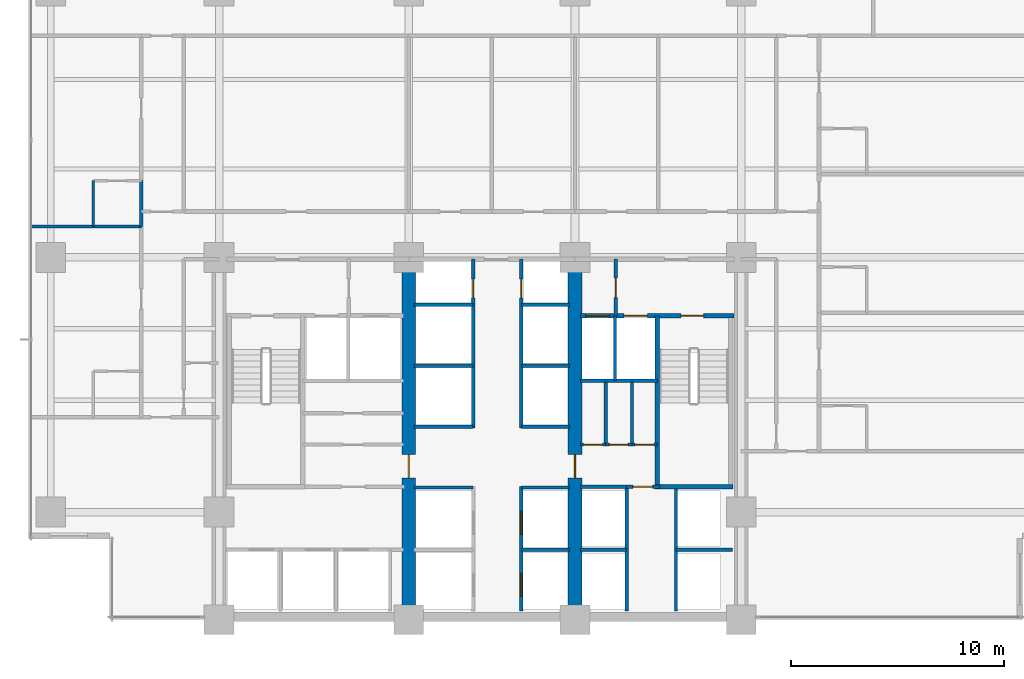
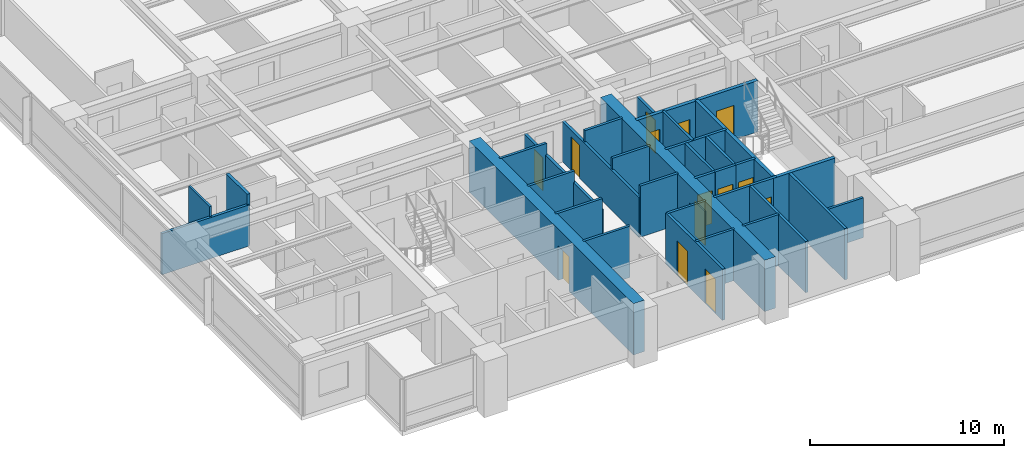
# One storey, part 8 of 16: 34 walls, 14 doors, 14 openings.
"""IFC4 building model written with IfcOpenShell, lengths in metres."""

from ifc_helpers import new_model, si_unit, direction, frame, frame_2d, origin, place, context, subcontext, project, spatial, rectangle, extrude, material, layer, layer_set, type_object, element, fill, save


model = new_model("IFC4")

# Units and contexts
model_context = context("Model", 3, precision=1e-05, world=origin(), true_north=direction((0.0, 1.0)))
body_context = subcontext(model_context, "Body", "Model", "MODEL_VIEW")
ifc_project = project(units=[si_unit("LENGTHUNIT", "METRE"), si_unit("AREAUNIT", "SQUARE_METRE"), si_unit("VOLUMEUNIT", "CUBIC_METRE"), si_unit("PLANEANGLEUNIT", "RADIAN"), si_unit("MASSUNIT", "GRAM", prefix="KILO")], contexts=[model_context])

# Site, building, storey
site_placement = place(None, origin())
site = spatial("IfcSite", under=ifc_project, at=site_placement, CompositionType="ELEMENT")
building_placement = place(site_placement, origin())
building = spatial("IfcBuilding", under=site, at=building_placement, Name="Qalmaran Belvedere Hotel", CompositionType="ELEMENT")
storey_placement = place(building_placement, frame((0.0, 0.0, 50.89990234375)))
storey = spatial("IfcBuildingStorey", under=building, at=storey_placement, Name="L12", CompositionType="ELEMENT", Elevation=50.89990234375)

# Wall, opening, door
ifc_material_1 = material(Name="Concrete C60/75", Category="concrete")
ifc_layer_1 = layer(ifc_material_1, 0.64990234375, Name="Concrete C60/75")
ifc_layer_set_1 = layer_set([ifc_layer_1], Name="Concrete C60/75")
wall_type_1 = type_object("IfcWallType", Name="WL-CORE-650-C60", PredefinedType="SHEAR", material=ifc_layer_set_1)
wall_1_placement = place(storey_placement, frame((29.199951171875, 3.5, 0.0), z_axis=(0.0, 0.0, 1.0), x_axis=(0.0, 1.0, 0.0)))
wall_1 = element("IfcWall", 1, at=wall_1_placement, inside=storey, type_object=wall_type_1, Name="L12 Core West Spine Shear Wall", PredefinedType="SHEAR", context=body_context, shape_type="SweptSolid", body=[
    extrude(rectangle(XDim=16.89990234375, YDim=0.64990234375, at=frame_2d((8.449951171875, 0.0))), origin(), (0.0, 0.0, 1.0), 3.22021484375),
])
opening_1_placement = place(wall_1_placement, frame((7.75, 0.0, 0.0), z_axis=(0.0, 0.0, 1.0), x_axis=(-1.0, 0.0, 0.0)))
opening_1 = element("IfcOpeningElement", 2, at=opening_1_placement, cuts=wall_1, Name="Opening FD90", PredefinedType="OPENING", context=body_context, shape_type="SweptSolid", body=[
    extrude(rectangle(XDim=1.10009765625, YDim=2.14990234375, at=frame_2d((0.550048828125, 1.074951171875))), frame((0.0, 0.3349609375, 0.0), z_axis=(0.0, -1.0, 0.0), x_axis=(1.0, 0.0, 0.0)), (0.0, 0.0, 1.0), 0.669921875),
])
ifc_material_2 = material(Name="Steel S355JR", Category="steel")
door_type_1 = type_object("IfcDoorType", Name="DR-FD90-1100X2150", OperationType="NOTDEFINED", PredefinedType="DOOR", material=ifc_material_2)
door_1_placement = place(opening_1_placement, origin())
door_1 = element("IfcDoor", 3, at=door_1_placement, inside=storey, type_object=door_type_1, Name="L12 Core West Cross-Lobby Door", OperationType="SINGLE_SWING_RIGHT", OverallHeight=2.14990234375, OverallWidth=1.10009765625, PredefinedType="DOOR", context=body_context, shape_type="SweptSolid", body=[
    extrude(rectangle(XDim=1.10009765625, YDim=2.14990234375, at=frame_2d((0.550048828125, 1.074951171875))), frame((0.0, 0.02490234375, 0.0), z_axis=(0.0, -1.0, 0.0), x_axis=(1.0, 0.0, 0.0)), (0.0, 0.0, 1.0), 0.050048828125),
])
fill(opening_1, door_1)

wall_2_placement = place(storey_placement, frame((37.0, 3.5, 0.0), z_axis=(0.0, 0.0, 1.0), x_axis=(0.0, 1.0, 0.0)))
wall_2 = element("IfcWall", 4, at=wall_2_placement, inside=storey, type_object=wall_type_1, Name="L12 Core East Spine Shear Wall", PredefinedType="SHEAR", context=body_context, shape_type="SweptSolid", body=[
    extrude(rectangle(XDim=16.89990234375, YDim=0.64990234375, at=frame_2d((8.449951171875, 0.0))), origin(), (0.0, 0.0, 1.0), 3.22021484375),
])
opening_2_placement = place(wall_2_placement, frame((6.64990234375, 0.0, 0.0)))
opening_2 = element("IfcOpeningElement", 5, at=opening_2_placement, cuts=wall_2, Name="Opening FD90", PredefinedType="OPENING", context=body_context, shape_type="SweptSolid", body=[
    extrude(rectangle(XDim=1.10009765625, YDim=2.14990234375, at=frame_2d((0.550048828125, 1.074951171875))), frame((0.0, 0.3349609375, 0.0), z_axis=(0.0, -1.0, 0.0), x_axis=(1.0, 0.0, 0.0)), (0.0, 0.0, 1.0), 0.669921875),
])
door_2_placement = place(opening_2_placement, origin())
door_2 = element("IfcDoor", 6, at=door_2_placement, inside=storey, type_object=door_type_1, Name="L12 Core East Cross-Lobby Door", OperationType="SINGLE_SWING_LEFT", OverallHeight=2.14990234375, OverallWidth=1.10009765625, PredefinedType="DOOR", context=body_context, shape_type="SweptSolid", body=[
    extrude(rectangle(XDim=1.10009765625, YDim=2.14990234375, at=frame_2d((0.550048828125, 1.074951171875))), frame((0.0, 0.02490234375, 0.0), z_axis=(0.0, -1.0, 0.0), x_axis=(1.0, 0.0, 0.0)), (0.0, 0.0, 1.0), 0.050048828125),
])
fill(opening_2, door_2)

# Walls
ifc_material_3 = material(Name="Moisture-Resistant Gypsum")
ifc_layer_2 = layer(ifc_material_3, 0.1201171875, Name="Moisture-Resistant Gypsum")
ifc_layer_set_2 = layer_set([ifc_layer_2], Name="Moisture-Resistant Gypsum")
wall_type_2 = type_object("IfcWallType", Name="WL-INT-120-BATH", PredefinedType="PARTITIONING", material=ifc_layer_set_2)
wall_3_placement = place(storey_placement, frame((14.39990234375, 21.949951171875, 0.0), z_axis=(0.0, 0.0, 1.0), x_axis=(0.0, 1.0, 0.0)))
element("IfcWall", 7, at=wall_3_placement, inside=storey, type_object=wall_type_2, Name="L12 Partition WL-L12-WBS01", PredefinedType="PARTITIONING", context=body_context, shape_type="SweptSolid", body=[
    extrude(rectangle(XDim=2.150146484375, YDim=0.1201171875, at=frame_2d((1.0751953125, 0.0))), origin(), (0.0, 0.0, 1.0), 3.22021484375),
])
ifc_material_4 = material(Name="Gypsum Stud Partition")
ifc_layer_3 = layer(ifc_material_4, 0.14990234375, Name="Gypsum Stud Partition")
ifc_layer_set_3 = layer_set([ifc_layer_3], Name="Gypsum Stud Partition")
wall_type_3 = type_object("IfcWallType", Name="WL-INT-150-EI120", PredefinedType="PARTITIONING", material=ifc_layer_set_3)
wall_4_placement = place(storey_placement, frame((38.8798828125, 14.719970703125, 0.0), z_axis=(0.0, 0.0, 1.0), x_axis=(0.0, 1.0, 0.0)))
element("IfcWall", 8, at=wall_4_placement, inside=storey, type_object=wall_type_3, Name="L12 Partition WL-FF2M-L12", PredefinedType="PARTITIONING", context=body_context, shape_type="SweptSolid", body=[
    extrude(rectangle(XDim=3.0400390625, YDim=0.14990234375, at=frame_2d((1.52001953125, 0.0))), origin(), (0.0, 0.0, 1.0), 3.22021484375),
])
wall_5_placement = place(storey_placement, frame((37.25, 6.780029296875, 0.0), z_axis=(0.0, 0.0, 1.0), x_axis=(1.0, 0.0, 0.0)))
element("IfcWall", 9, at=wall_5_placement, inside=storey, type_object=wall_type_3, Name="L12 Partition WL-PHMW-L12", PredefinedType="PARTITIONING", context=body_context, shape_type="SweptSolid", body=[
    extrude(rectangle(XDim=2.169921875, YDim=0.14990234375, at=frame_2d((1.0849609375, 0.0))), origin(), (0.0, 0.0, 1.0), 3.22021484375),
])
wall_6_placement = place(storey_placement, frame((41.739990234375, 6.780029296875, 0.0), z_axis=(0.0, 0.0, 1.0), x_axis=(1.0, 0.0, 0.0)))
element("IfcWall", 10, at=wall_6_placement, inside=storey, type_object=wall_type_3, Name="L12 Partition WL-PHME-L12", PredefinedType="PARTITIONING", context=body_context, shape_type="SweptSolid", body=[
    extrude(rectangle(XDim=2.659912109375, YDim=0.14990234375, at=frame_2d((1.330078125, 0.0))), origin(), (0.0, 0.0, 1.0), 2.510009765625),
])
wall_7_placement = place(storey_placement, frame((34.47998046875, 6.780029296875, 0.0), z_axis=(0.0, 0.0, 1.0), x_axis=(1.0, 0.0, 0.0)))
element("IfcWall", 11, at=wall_7_placement, inside=storey, type_object=wall_type_3, Name="L12 Partition WL-PLE-L12-67", PredefinedType="PARTITIONING", context=body_context, shape_type="SweptSolid", body=[
    extrude(rectangle(XDim=2.27001953125, YDim=0.14990234375, at=frame_2d((1.135009765625, 0.0))), origin(), (0.0, 0.0, 1.0), 3.22021484375),
])
wall_8_placement = place(storey_placement, frame((29.449951171875, 9.699951171875, 0.0), z_axis=(0.0, 0.0, 1.0), x_axis=(1.0, 0.0, 0.0)))
element("IfcWall", 12, at=wall_8_placement, inside=storey, type_object=wall_type_3, Name="L12 Partition WL-PLW-L12-97", PredefinedType="PARTITIONING", context=body_context, shape_type="SweptSolid", body=[
    extrude(rectangle(XDim=2.77001953125, YDim=0.14990234375, at=frame_2d((1.385009765625, 0.0))), origin(), (0.0, 0.0, 1.0), 3.22021484375),
])
wall_9_placement = place(storey_placement, frame((34.47998046875, 9.699951171875, 0.0), z_axis=(0.0, 0.0, 1.0), x_axis=(1.0, 0.0, 0.0)))
element("IfcWall", 13, at=wall_9_placement, inside=storey, type_object=wall_type_3, Name="L12 Partition WL-PLE-L12-97", PredefinedType="PARTITIONING", context=body_context, shape_type="SweptSolid", body=[
    extrude(rectangle(XDim=2.27001953125, YDim=0.14990234375, at=frame_2d((1.135009765625, 0.0))), origin(), (0.0, 0.0, 1.0), 3.22021484375),
])
wall_10_placement = place(storey_placement, frame((29.449951171875, 12.550048828125, 0.0), z_axis=(0.0, 0.0, 1.0), x_axis=(1.0, 0.0, 0.0)))
element("IfcWall", 14, at=wall_10_placement, inside=storey, type_object=wall_type_3, Name="L12 Partition WL-PMW-L12-125", PredefinedType="PARTITIONING", context=body_context, shape_type="SweptSolid", body=[
    extrude(rectangle(XDim=2.77001953125, YDim=0.14990234375, at=frame_2d((1.385009765625, 0.0))), origin(), (0.0, 0.0, 1.0), 3.22021484375),
])
wall_11_placement = place(storey_placement, frame((34.47998046875, 12.550048828125, 0.0), z_axis=(0.0, 0.0, 1.0), x_axis=(1.0, 0.0, 0.0)))
element("IfcWall", 15, at=wall_11_placement, inside=storey, type_object=wall_type_3, Name="L12 Partition WL-PME-L12-125", PredefinedType="PARTITIONING", context=body_context, shape_type="SweptSolid", body=[
    extrude(rectangle(XDim=2.27001953125, YDim=0.14990234375, at=frame_2d((1.135009765625, 0.0))), origin(), (0.0, 0.0, 1.0), 3.22021484375),
])
wall_12_placement = place(storey_placement, frame((29.449951171875, 15.419921875, 0.0), z_axis=(0.0, 0.0, 1.0), x_axis=(1.0, 0.0, 0.0)))
element("IfcWall", 16, at=wall_12_placement, inside=storey, type_object=wall_type_3, Name="L12 Partition WL-PMW-L12-154", PredefinedType="PARTITIONING", context=body_context, shape_type="SweptSolid", body=[
    extrude(rectangle(XDim=2.77001953125, YDim=0.14990234375, at=frame_2d((1.385009765625, 0.0))), origin(), (0.0, 0.0, 1.0), 3.22021484375),
])
wall_13_placement = place(storey_placement, frame((34.47998046875, 15.419921875, 0.0), z_axis=(0.0, 0.0, 1.0), x_axis=(1.0, 0.0, 0.0)))
element("IfcWall", 17, at=wall_13_placement, inside=storey, type_object=wall_type_3, Name="L12 Partition WL-PME-L12-154", PredefinedType="PARTITIONING", context=body_context, shape_type="SweptSolid", body=[
    extrude(rectangle(XDim=2.27001953125, YDim=0.14990234375, at=frame_2d((1.135009765625, 0.0))), origin(), (0.0, 0.0, 1.0), 3.22021484375),
])
wall_14_placement = place(storey_placement, frame((29.449951171875, 18.280029296875, 0.0), z_axis=(0.0, 0.0, 1.0), x_axis=(1.0, 0.0, 0.0)))
element("IfcWall", 18, at=wall_14_placement, inside=storey, type_object=wall_type_3, Name="L12 Partition WL-PMW-L12-182", PredefinedType="PARTITIONING", context=body_context, shape_type="SweptSolid", body=[
    extrude(rectangle(XDim=2.77001953125, YDim=0.14990234375, at=frame_2d((1.385009765625, 0.0))), origin(), (0.0, 0.0, 1.0), 3.22021484375),
])
wall_15_placement = place(storey_placement, frame((34.47998046875, 18.280029296875, 0.0), z_axis=(0.0, 0.0, 1.0), x_axis=(1.0, 0.0, 0.0)))
element("IfcWall", 19, at=wall_15_placement, inside=storey, type_object=wall_type_3, Name="L12 Partition WL-PME-L12-182", PredefinedType="PARTITIONING", context=body_context, shape_type="SweptSolid", body=[
    extrude(rectangle(XDim=2.27001953125, YDim=0.14990234375, at=frame_2d((1.135009765625, 0.0))), origin(), (0.0, 0.0, 1.0), 3.22021484375),
])
ifc_layer_4 = layer(ifc_material_4, 0.14990234375, Name="Gypsum Stud Partition")
ifc_layer_set_4 = layer_set([ifc_layer_4], Name="Gypsum Stud Partition")
wall_type_4 = type_object("IfcWallType", Name="WL-INT-150-EI60", PredefinedType="PARTITIONING", material=ifc_layer_set_4)
for number, where, z_axis, x_axis, name in (
    (20, (38.44140625, 11.719970703125, 0.0), (0.0, 0.0, 1.0), (0.0, 1.0, 0.0), "L12 Partition WL-L12-KEV1"),
    (21, (39.668701171875, 11.719970703125, 0.0), (0.0, 0.0, 1.0), (0.0, 1.0, 0.0), "L12 Partition WL-L12-KEV2"),
):
    element("IfcWall", number, at=place(storey_placement, frame(where, z_axis=z_axis, x_axis=x_axis)), inside=storey, type_object=wall_type_4, Name=name, PredefinedType="PARTITIONING", context=body_context, shape_type="SweptSolid", body=[
        extrude(rectangle(XDim=2.929931640625, YDim=0.14990234375, at=frame_2d((1.46484375, 0.0))), origin(), (0.0, 0.0, 1.0), 3.22021484375),
    ])

# Wall, opening, door
ifc_layer_5 = layer(ifc_material_4, 0.159912109375, Name="Gypsum Stud Partition")
ifc_layer_set_5 = layer_set([ifc_layer_5], Name="Gypsum Stud Partition")
wall_type_5 = type_object("IfcWallType", Name="WL-INT-160-EI120", PredefinedType="PARTITIONING", material=ifc_layer_set_5)
wall_16_placement = place(storey_placement, frame((38.919921875, 17.760009765625, 0.0), z_axis=(0.0, 0.0, 1.0), x_axis=(0.0, 1.0, 0.0)))
wall_16 = element("IfcWall", 22, at=wall_16_placement, inside=storey, type_object=wall_type_5, Name="L12 Partition WL-FFSV2-L12", PredefinedType="PARTITIONING", context=body_context, shape_type="SweptSolid", body=[
    extrude(rectangle(XDim=2.659912109375, YDim=0.159912109375, at=frame_2d((1.330078125, 0.0))), origin(), (0.0, 0.0, 1.0), 2.510009765625),
])
opening_3_placement = place(wall_16_placement, frame((1.77001953125, 0.0, 0.0), z_axis=(0.0, 0.0, 1.0), x_axis=(-1.0, 0.0, 0.0)))
opening_3 = element("IfcOpeningElement", 23, at=opening_3_placement, cuts=wall_16, Name="Opening FD60S1", PredefinedType="OPENING", context=body_context, shape_type="SweptSolid", body=[
    extrude(rectangle(XDim=0.919921875, YDim=2.080078125, at=frame_2d((0.4599609375, 1.0400390625))), frame((0.0, 0.08984375, 0.0), z_axis=(0.0, -1.0, 0.0), x_axis=(1.0, 0.0, 0.0)), (0.0, 0.0, 1.0), 0.179931640625),
])
ifc_material_5 = material(Name="Engineered Oak Veneer")
door_type_2 = type_object("IfcDoorType", Name="DR-FD60S-920X2080", OperationType="NOTDEFINED", PredefinedType="DOOR", material=ifc_material_5)
door_3_placement = place(opening_3_placement, origin())
door_3 = element("IfcDoor", 24, at=door_3_placement, inside=storey, type_object=door_type_2, Name="L12 Service Lobby East Door", OperationType="SINGLE_SWING_LEFT", OverallHeight=2.080078125, OverallWidth=0.919921875, PredefinedType="DOOR", context=body_context, shape_type="SweptSolid", body=[
    extrude(rectangle(XDim=0.919921875, YDim=2.080078125, at=frame_2d((0.4599609375, 1.0400390625))), frame((0.0, 0.02490234375, 0.0), z_axis=(0.0, -1.0, 0.0), x_axis=(1.0, 0.0, 0.0)), (0.0, 0.0, 1.0), 0.050048828125),
])
fill(opening_3, door_3)

# Walls
wall_17_placement = place(storey_placement, frame((37.25, 14.719970703125, 0.0), z_axis=(0.0, 0.0, 1.0), x_axis=(1.0, 0.0, 0.0)))
element("IfcWall", 25, at=wall_17_placement, inside=storey, type_object=wall_type_5, Name="L12 Partition WL-FF2S-L12", PredefinedType="PARTITIONING", context=body_context, shape_type="SweptSolid", body=[
    extrude(rectangle(XDim=3.610107421875, YDim=0.159912109375, at=frame_2d((1.80517578125, 0.0))), origin(), (0.0, 0.0, 1.0), 3.22021484375),
])
for number, where, z_axis, x_axis, name in (
    (26, (39.419921875, 3.89990234375, 0.0), (0.0, 0.0, 1.0), (0.0, 1.0, 0.0), "L12 Partition WL-PHW-L12"),
    (27, (41.739990234375, 3.89990234375, 0.0), (0.0, 0.0, 1.0), (0.0, 1.0, 0.0), "L12 Partition WL-PHE-L12"),
):
    element("IfcWall", number, at=place(storey_placement, frame(where, z_axis=z_axis, x_axis=x_axis)), inside=storey, type_object=wall_type_5, Name=name, PredefinedType="PARTITIONING", context=body_context, shape_type="SweptSolid", body=[
        extrude(rectangle(XDim=5.840087890625, YDim=0.159912109375, at=frame_2d((2.919921875, 0.0))), origin(), (0.0, 0.0, 1.0), 3.22021484375),
    ])
wall_18_placement = place(storey_placement, frame((37.25, 9.739990234375, 0.0), z_axis=(0.0, 0.0, 1.0), x_axis=(1.0, 0.0, 0.0)))
element("IfcWall", 28, at=wall_18_placement, inside=storey, type_object=wall_type_5, Name="L12 Partition WL-PHNW-L12", PredefinedType="PARTITIONING", context=body_context, shape_type="SweptSolid", body=[
    extrude(rectangle(XDim=2.169921875, YDim=0.159912109375, at=frame_2d((1.0849609375, 0.0))), origin(), (0.0, 0.0, 1.0), 3.22021484375),
])

# Wall, opening, door
wall_19_placement = place(storey_placement, frame((39.419921875, 9.739990234375, 0.0), z_axis=(0.0, 0.0, 1.0), x_axis=(1.0, 0.0, 0.0)))
wall_19 = element("IfcWall", 29, at=wall_19_placement, inside=storey, type_object=wall_type_5, Name="L12 Partition WL-PHNL-L12", PredefinedType="PARTITIONING", context=body_context, shape_type="SweptSolid", body=[
    extrude(rectangle(XDim=1.56005859375, YDim=0.159912109375, at=frame_2d((0.780029296875, 0.0))), origin(), (0.0, 0.0, 1.0), 3.22021484375),
])
opening_4_placement = place(wall_19_placement, frame((0.300048828125, 0.0, 0.0)))
opening_4 = element("IfcOpeningElement", 30, at=opening_4_placement, cuts=wall_19, Name="Opening FD60S1", PredefinedType="OPENING", context=body_context, shape_type="SweptSolid", body=[
    extrude(rectangle(XDim=0.919921875, YDim=2.080078125, at=frame_2d((0.4599609375, 1.0400390625))), frame((0.0, 0.08984375, 0.0), z_axis=(0.0, -1.0, 0.0), x_axis=(1.0, 0.0, 0.0)), (0.0, 0.0, 1.0), 0.179931640625),
])
door_4_placement = place(opening_4_placement, origin())
door_4 = element("IfcDoor", 31, at=door_4_placement, inside=storey, type_object=door_type_2, Name="L12 High-Rise Lift Lobby Passage Door", OperationType="SINGLE_SWING_LEFT", OverallHeight=2.080078125, OverallWidth=0.919921875, PredefinedType="DOOR", context=body_context, shape_type="SweptSolid", body=[
    extrude(rectangle(XDim=0.919921875, YDim=2.080078125, at=frame_2d((0.4599609375, 1.0400390625))), frame((0.0, 0.02490234375, 0.0), z_axis=(0.0, -1.0, 0.0), x_axis=(1.0, 0.0, 0.0)), (0.0, 0.0, 1.0), 0.050048828125),
])
fill(opening_4, door_4)

# Wall, openings, doors
wall_20_placement = place(storey_placement, frame((34.47998046875, 3.89990234375, 0.0), z_axis=(0.0, 0.0, 1.0), x_axis=(0.0, 1.0, 0.0)))
wall_20 = element("IfcWall", 32, at=wall_20_placement, inside=storey, type_object=wall_type_5, Name="L12 Partition WL-CLBES-L12", PredefinedType="PARTITIONING", context=body_context, shape_type="SweptSolid", body=[
    extrude(rectangle(XDim=5.840087890625, YDim=0.159912109375, at=frame_2d((2.919921875, 0.0))), origin(), (0.0, 0.0, 1.0), 3.22021484375),
])
opening_5_placement = place(wall_20_placement, frame((0.699951171875, 0.0, 0.0)))
opening_5 = element("IfcOpeningElement", 33, at=opening_5_placement, cuts=wall_20, Name="Opening LD-P1", PredefinedType="OPENING", context=body_context, shape_type="SweptSolid", body=[
    extrude(rectangle(XDim=1.080078125, YDim=2.159912109375, at=frame_2d((0.5400390625, 1.080078125))), frame((0.0, 0.08984375, 0.0), z_axis=(0.0, -1.0, 0.0), x_axis=(1.0, 0.0, 0.0)), (0.0, 0.0, 1.0), 0.179931640625),
])
opening_6_placement = place(wall_20_placement, frame((3.60009765625, 0.0, 0.0)))
opening_6 = element("IfcOpeningElement", 34, at=opening_6_placement, cuts=wall_20, Name="Opening LD-P1", PredefinedType="OPENING", context=body_context, shape_type="SweptSolid", body=[
    extrude(rectangle(XDim=1.080078125, YDim=2.159912109375, at=frame_2d((0.5400390625, 1.080078125))), frame((0.0, 0.08984375, 0.0), z_axis=(0.0, -1.0, 0.0), x_axis=(1.0, 0.0, 0.0)), (0.0, 0.0, 1.0), 0.179931640625),
])
ifc_material_6 = material(Name="Stainless Steel 1.4401", Category="steel")
door_type_3 = type_object("IfcDoorType", Name="DR-LIFT-P1-1080X2160", OperationType="DOUBLE_DOOR_SLIDING", PredefinedType="DOOR", material=ifc_material_6)
door_5_placement = place(opening_5_placement, origin())
door_5 = element("IfcDoor", 35, at=door_5_placement, inside=storey, type_object=door_type_3, Name="L12 PL3 Lift Landing Door", OperationType="DOUBLE_DOOR_SLIDING", OverallHeight=2.159912109375, OverallWidth=1.080078125, PredefinedType="DOOR", context=body_context, shape_type="SweptSolid", body=[
    extrude(rectangle(XDim=1.080078125, YDim=2.159912109375, at=frame_2d((0.5400390625, 1.080078125))), frame((0.0, 0.02490234375, 0.0), z_axis=(0.0, -1.0, 0.0), x_axis=(1.0, 0.0, 0.0)), (0.0, 0.0, 1.0), 0.050048828125),
])
fill(opening_5, door_5)
door_6_placement = place(opening_6_placement, origin())
door_6 = element("IfcDoor", 36, at=door_6_placement, inside=storey, type_object=door_type_3, Name="L12 PL4 Lift Landing Door", OperationType="DOUBLE_DOOR_SLIDING", OverallHeight=2.159912109375, OverallWidth=1.080078125, PredefinedType="DOOR", context=body_context, shape_type="SweptSolid", body=[
    extrude(rectangle(XDim=1.080078125, YDim=2.159912109375, at=frame_2d((0.5400390625, 1.080078125))), frame((0.0, 0.02490234375, 0.0), z_axis=(0.0, -1.0, 0.0), x_axis=(1.0, 0.0, 0.0)), (0.0, 0.0, 1.0), 0.050048828125),
])
fill(opening_6, door_6)

# Wall, opening, door
wall_21_placement = place(storey_placement, frame((32.219970703125, 12.5, 0.0), z_axis=(0.0, 0.0, 1.0), x_axis=(0.0, 1.0, 0.0)))
wall_21 = element("IfcWall", 37, at=wall_21_placement, inside=storey, type_object=wall_type_5, Name="L12 Partition WL-CLBWN-L12", PredefinedType="PARTITIONING", context=body_context, shape_type="SweptSolid", body=[
    extrude(rectangle(XDim=7.919921875, YDim=0.159912109375, at=frame_2d((3.9599609375, 0.0))), origin(), (0.0, 0.0, 1.0), 2.510009765625),
])
opening_7_placement = place(wall_21_placement, frame((6.10009765625, 0.0, 0.0)))
opening_7 = element("IfcOpeningElement", 38, at=opening_7_placement, cuts=wall_21, Name="Opening FD60B", PredefinedType="OPENING", context=body_context, shape_type="SweptSolid", body=[
    extrude(rectangle(XDim=0.8798828125, YDim=2.080078125, at=frame_2d((0.43994140625, 1.0400390625))), frame((0.0, 0.08984375, 0.0), z_axis=(0.0, -1.0, 0.0), x_axis=(1.0, 0.0, 0.0)), (0.0, 0.0, 1.0), 0.179931640625),
])
door_type_4 = type_object("IfcDoorType", Name="DR-FD60B-880X2080", OperationType="NOTDEFINED", PredefinedType="DOOR", material=ifc_material_2)
door_7_placement = place(opening_7_placement, origin())
door_7 = element("IfcDoor", 39, at=door_7_placement, inside=storey, type_object=door_type_4, Name="L12 West Riser Access Door", OperationType="SINGLE_SWING_RIGHT", OverallHeight=2.080078125, OverallWidth=0.8798828125, PredefinedType="DOOR", context=body_context, shape_type="SweptSolid", body=[
    extrude(rectangle(XDim=0.8798828125, YDim=2.080078125, at=frame_2d((0.43994140625, 1.0400390625))), frame((0.0, 0.02490234375, 0.0), z_axis=(0.0, -1.0, 0.0), x_axis=(1.0, 0.0, 0.0)), (0.0, 0.0, 1.0), 0.050048828125),
])
fill(opening_7, door_7)

wall_22_placement = place(storey_placement, frame((34.47998046875, 12.5, 0.0), z_axis=(0.0, 0.0, 1.0), x_axis=(0.0, 1.0, 0.0)))
wall_22 = element("IfcWall", 40, at=wall_22_placement, inside=storey, type_object=wall_type_5, Name="L12 Partition WL-CLBEN-L12", PredefinedType="PARTITIONING", context=body_context, shape_type="SweptSolid", body=[
    extrude(rectangle(XDim=7.919921875, YDim=0.159912109375, at=frame_2d((3.9599609375, 0.0))), origin(), (0.0, 0.0, 1.0), 2.510009765625),
])
opening_8_placement = place(wall_22_placement, frame((6.97998046875, 0.0, 0.0), z_axis=(0.0, 0.0, 1.0), x_axis=(-1.0, 0.0, 0.0)))
opening_8 = element("IfcOpeningElement", 41, at=opening_8_placement, cuts=wall_22, Name="Opening FD60B", PredefinedType="OPENING", context=body_context, shape_type="SweptSolid", body=[
    extrude(rectangle(XDim=0.8798828125, YDim=2.080078125, at=frame_2d((0.43994140625, 1.0400390625))), frame((0.0, 0.08984375, 0.0), z_axis=(0.0, -1.0, 0.0), x_axis=(1.0, 0.0, 0.0)), (0.0, 0.0, 1.0), 0.179931640625),
])
door_8_placement = place(opening_8_placement, origin())
door_8 = element("IfcDoor", 42, at=door_8_placement, inside=storey, type_object=door_type_4, Name="L12 East Riser Access Door", OperationType="SINGLE_SWING_LEFT", OverallHeight=2.080078125, OverallWidth=0.8798828125, PredefinedType="DOOR", context=body_context, shape_type="SweptSolid", body=[
    extrude(rectangle(XDim=0.8798828125, YDim=2.080078125, at=frame_2d((0.43994140625, 1.0400390625))), frame((0.0, 0.02490234375, 0.0), z_axis=(0.0, -1.0, 0.0), x_axis=(1.0, 0.0, 0.0)), (0.0, 0.0, 1.0), 0.050048828125),
])
fill(opening_8, door_8)

ifc_layer_6 = layer(ifc_material_4, 0.159912109375, Name="Gypsum Stud Partition")
ifc_layer_set_6 = layer_set([ifc_layer_6], Name="Gypsum Stud Partition")
wall_type_6 = type_object("IfcWallType", Name="WL-INT-160-EI60", PredefinedType="PARTITIONING", material=ifc_layer_set_6)
wall_23_placement = place(storey_placement, frame((37.25, 11.719970703125, 0.0), z_axis=(0.0, 0.0, 1.0), x_axis=(1.0, 0.0, 0.0)))
wall_23 = element("IfcWall", 43, at=wall_23_placement, inside=storey, type_object=wall_type_6, Name="L12 Partition WL-L12-KEE1", PredefinedType="PARTITIONING", context=body_context, shape_type="SweptSolid", body=[
    extrude(rectangle(XDim=1.19140625, YDim=0.159912109375, at=frame_2d((0.595703125, 0.0))), origin(), (0.0, 0.0, 1.0), 3.22021484375),
])
opening_9_placement = place(wall_23_placement, frame((0.155517578125, 0.0, 0.0)))
opening_9 = element("IfcOpeningElement", 44, at=opening_9_placement, cuts=wall_23, Name="Opening FD60B", PredefinedType="OPENING", context=body_context, shape_type="SweptSolid", body=[
    extrude(rectangle(XDim=0.8798828125, YDim=2.080078125, at=frame_2d((0.43994140625, 1.0400390625))), frame((0.0, 0.08984375, 0.0), z_axis=(0.0, -1.0, 0.0), x_axis=(1.0, 0.0, 0.0)), (0.0, 0.0, 1.0), 0.179931640625),
])
door_9_placement = place(opening_9_placement, origin())
door_9 = element("IfcDoor", 45, at=door_9_placement, inside=storey, type_object=door_type_4, Name="L12 Hotel Linen Closet Door", OperationType="SINGLE_SWING_LEFT", OverallHeight=2.080078125, OverallWidth=0.8798828125, PredefinedType="DOOR", context=body_context, shape_type="SweptSolid", body=[
    extrude(rectangle(XDim=0.8798828125, YDim=2.080078125, at=frame_2d((0.43994140625, 1.0400390625))), frame((0.0, 0.02490234375, 0.0), z_axis=(0.0, -1.0, 0.0), x_axis=(1.0, 0.0, 0.0)), (0.0, 0.0, 1.0), 0.050048828125),
])
fill(opening_9, door_9)

wall_24_placement = place(storey_placement, frame((38.44140625, 11.719970703125, 0.0), z_axis=(0.0, 0.0, 1.0), x_axis=(1.0, 0.0, 0.0)))
wall_24 = element("IfcWall", 46, at=wall_24_placement, inside=storey, type_object=wall_type_6, Name="L12 Partition WL-L12-KEE2", PredefinedType="PARTITIONING", context=body_context, shape_type="SweptSolid", body=[
    extrude(rectangle(XDim=1.227294921875, YDim=0.159912109375, at=frame_2d((0.61376953125, 0.0))), origin(), (0.0, 0.0, 1.0), 3.22021484375),
])
opening_10_placement = place(wall_24_placement, frame((0.173583984375, 0.0, 0.0)))
opening_10 = element("IfcOpeningElement", 47, at=opening_10_placement, cuts=wall_24, Name="Opening FD60B", PredefinedType="OPENING", context=body_context, shape_type="SweptSolid", body=[
    extrude(rectangle(XDim=0.8798828125, YDim=2.080078125, at=frame_2d((0.43994140625, 1.0400390625))), frame((0.0, 0.08984375, 0.0), z_axis=(0.0, -1.0, 0.0), x_axis=(1.0, 0.0, 0.0)), (0.0, 0.0, 1.0), 0.179931640625),
])
door_10_placement = place(opening_10_placement, origin())
door_10 = element("IfcDoor", 48, at=door_10_placement, inside=storey, type_object=door_type_4, Name="L12 Guest Ice and Beverage Pantry Door", OperationType="SINGLE_SWING_RIGHT", OverallHeight=2.080078125, OverallWidth=0.8798828125, PredefinedType="DOOR", context=body_context, shape_type="SweptSolid", body=[
    extrude(rectangle(XDim=0.8798828125, YDim=2.080078125, at=frame_2d((0.43994140625, 1.0400390625))), frame((0.0, 0.02490234375, 0.0), z_axis=(0.0, -1.0, 0.0), x_axis=(1.0, 0.0, 0.0)), (0.0, 0.0, 1.0), 0.050048828125),
])
fill(opening_10, door_10)

wall_25_placement = place(storey_placement, frame((39.668701171875, 11.719970703125, 0.0), z_axis=(0.0, 0.0, 1.0), x_axis=(1.0, 0.0, 0.0)))
wall_25 = element("IfcWall", 49, at=wall_25_placement, inside=storey, type_object=wall_type_6, Name="L12 Partition WL-L12-KEE3", PredefinedType="PARTITIONING", context=body_context, shape_type="SweptSolid", body=[
    extrude(rectangle(XDim=1.19140625, YDim=0.159912109375, at=frame_2d((0.595703125, 0.0))), origin(), (0.0, 0.0, 1.0), 3.22021484375),
])
opening_11_placement = place(wall_25_placement, frame((0.155517578125, 0.0, 0.0)))
opening_11 = element("IfcOpeningElement", 50, at=opening_11_placement, cuts=wall_25, Name="Opening FD60B", PredefinedType="OPENING", context=body_context, shape_type="SweptSolid", body=[
    extrude(rectangle(XDim=0.8798828125, YDim=2.080078125, at=frame_2d((0.43994140625, 1.0400390625))), frame((0.0, 0.08984375, 0.0), z_axis=(0.0, -1.0, 0.0), x_axis=(1.0, 0.0, 0.0)), (0.0, 0.0, 1.0), 0.179931640625),
])
door_11_placement = place(opening_11_placement, origin())
door_11 = element("IfcDoor", 51, at=door_11_placement, inside=storey, type_object=door_type_4, Name="L12 Cleaner Equipment Store Door", OperationType="SINGLE_SWING_LEFT", OverallHeight=2.080078125, OverallWidth=0.8798828125, PredefinedType="DOOR", context=body_context, shape_type="SweptSolid", body=[
    extrude(rectangle(XDim=0.8798828125, YDim=2.080078125, at=frame_2d((0.43994140625, 1.0400390625))), frame((0.0, 0.02490234375, 0.0), z_axis=(0.0, -1.0, 0.0), x_axis=(1.0, 0.0, 0.0)), (0.0, 0.0, 1.0), 0.050048828125),
])
fill(opening_11, door_11)

# Walls
wall_26_placement = place(storey_placement, frame((11.469970703125, 21.949951171875, 0.0), z_axis=(0.0, 0.0, 1.0), x_axis=(1.0, 0.0, 0.0)))
element("IfcWall", 52, at=wall_26_placement, inside=storey, type_object=wall_type_6, Name="L12 Partition WL-L12-WU00", PredefinedType="PARTITIONING", context=body_context, shape_type="SweptSolid", body=[
    extrude(rectangle(XDim=5.179931640625, YDim=0.159912109375, at=frame_2d((2.58984375, 0.0))), origin(), (0.0, 0.0, 1.0), 2.5830078125),
])
ifc_layer_7 = layer(ifc_material_4, 0.179931640625, Name="Gypsum Stud Partition")
ifc_layer_set_7 = layer_set([ifc_layer_7], Name="Gypsum Stud Partition")
wall_type_7 = type_object("IfcWallType", Name="WL-INT-180-EI60", PredefinedType="PARTITIONING", material=ifc_layer_set_7)
wall_27_placement = place(storey_placement, frame((16.64990234375, 21.949951171875, 0.0), z_axis=(0.0, 0.0, 1.0), x_axis=(0.0, 1.0, 0.0)))
element("IfcWall", 53, at=wall_27_placement, inside=storey, type_object=wall_type_7, Name="L12 Partition WL-L12-WBC01", PredefinedType="PARTITIONING", context=body_context, shape_type="SweptSolid", body=[
    extrude(rectangle(XDim=2.150146484375, YDim=0.179931640625, at=frame_2d((1.0751953125, 0.0))), origin(), (0.0, 0.0, 1.0), 3.22021484375),
])
ifc_material_7 = material(Name="Concrete C50/60", Category="concrete")
ifc_layer_8 = layer(ifc_material_7, 0.2099609375, Name="Concrete C50/60")
ifc_layer_set_8 = layer_set([ifc_layer_8], Name="Concrete C50/60")
wall_type_8 = type_object("IfcWallType", Name="WL-STAIR-210-C50", PredefinedType="SHEAR", material=ifc_layer_set_8)
wall_28_placement = place(storey_placement, frame((40.85498046875, 9.7451171875, 0.0), z_axis=(0.0, 0.0, 1.0), x_axis=(0.0, 1.0, 0.0)))
element("IfcWall", 54, at=wall_28_placement, inside=storey, type_object=wall_type_8, Name="L12 Stair ST-2 West Bearing Wall", PredefinedType="SHEAR", context=body_context, shape_type="SweptSolid", body=[
    extrude(rectangle(XDim=8.009765625, YDim=0.2099609375, at=frame_2d((4.0048828125, 0.0))), origin(), (0.0, 0.0, 1.0), 3.22021484375),
])
wall_29_placement = place(storey_placement, frame((40.75, 9.7451171875, 0.0), z_axis=(0.0, 0.0, 1.0), x_axis=(1.0, 0.0, 0.0)))
element("IfcWall", 55, at=wall_29_placement, inside=storey, type_object=wall_type_8, Name="L12 Stair ST-2 South Bearing Wall", PredefinedType="SHEAR", context=body_context, shape_type="SweptSolid", body=[
    extrude(rectangle(XDim=3.659912109375, YDim=0.2099609375, at=frame_2d((1.830078125, 0.0))), origin(), (0.0, 0.0, 1.0), 3.22021484375),
])

# Wall, openings, doors
wall_30_placement = place(storey_placement, frame((37.25, 17.7548828125, 0.0), z_axis=(0.0, 0.0, 1.0), x_axis=(1.0, 0.0, 0.0)))
wall_30 = element("IfcWall", 56, at=wall_30_placement, inside=storey, type_object=wall_type_8, Name="L12 East Lobby and Stair ST-2 North Bearing Wall", PredefinedType="SHEAR", context=body_context, shape_type="SweptSolid", body=[
    extrude(rectangle(XDim=7.199951171875, YDim=0.2099609375, at=frame_2d((3.60009765625, 0.0))), origin(), (0.0, 0.0, 1.0), 3.22021484375),
])
opening_12_placement = place(wall_30_placement, frame((0.25, 0.0, 0.0)))
opening_12 = element("IfcOpeningElement", 57, at=opening_12_placement, cuts=wall_30, Name="Opening LD-SV", PredefinedType="OPENING", context=body_context, shape_type="SweptSolid", body=[
    extrude(rectangle(XDim=1.1201171875, YDim=2.199951171875, at=frame_2d((0.56005859375, 1.10009765625))), frame((0.0, 0.114990234375, 0.0), z_axis=(0.0, -1.0, 0.0), x_axis=(1.0, 0.0, 0.0)), (0.0, 0.0, 1.0), 0.22998046875),
])
opening_13_placement = place(wall_30_placement, frame((2.050048828125, 0.0, 0.0)))
opening_13 = element("IfcOpeningElement", 58, at=opening_13_placement, cuts=wall_30, Name="Opening LD-FF", PredefinedType="OPENING", context=body_context, shape_type="SweptSolid", body=[
    extrude(rectangle(XDim=1.10009765625, YDim=2.179931640625, at=frame_2d((0.550048828125, 1.08984375))), frame((0.0, 0.114990234375, 0.0), z_axis=(0.0, -1.0, 0.0), x_axis=(1.0, 0.0, 0.0)), (0.0, 0.0, 1.0), 0.22998046875),
])
opening_14_placement = place(wall_30_placement, frame((5.780029296875, 0.0, 0.0), z_axis=(0.0, 0.0, 1.0), x_axis=(-1.0, 0.0, 0.0)))
opening_14 = element("IfcOpeningElement", 59, at=opening_14_placement, cuts=wall_30, Name="Opening FD90S2", PredefinedType="OPENING", context=body_context, shape_type="SweptSolid", body=[
    extrude(rectangle(XDim=1.050048828125, YDim=2.14990234375, at=frame_2d((0.52490234375, 1.074951171875))), frame((0.0, 0.114990234375, 0.0), z_axis=(0.0, -1.0, 0.0), x_axis=(1.0, 0.0, 0.0)), (0.0, 0.0, 1.0), 0.22998046875),
])
door_type_5 = type_object("IfcDoorType", Name="DR-FD90S-1050X2150", OperationType="NOTDEFINED", PredefinedType="DOOR", material=ifc_material_2)
door_12_placement = place(opening_14_placement, origin())
door_12 = element("IfcDoor", 60, at=door_12_placement, inside=storey, type_object=door_type_5, Name="L12 Stair ST-2 Door", OperationType="SINGLE_SWING_LEFT", OverallHeight=2.14990234375, OverallWidth=1.050048828125, PredefinedType="DOOR", context=body_context, shape_type="SweptSolid", body=[
    extrude(rectangle(XDim=1.050048828125, YDim=2.14990234375, at=frame_2d((0.52490234375, 1.074951171875))), frame((0.0, 0.02490234375, 0.0), z_axis=(0.0, -1.0, 0.0), x_axis=(1.0, 0.0, 0.0)), (0.0, 0.0, 1.0), 0.050048828125),
])
fill(opening_14, door_12)
door_type_6 = type_object("IfcDoorType", Name="DR-LIFT-FF-1100X2180", OperationType="DOUBLE_DOOR_SLIDING", PredefinedType="DOOR", material=ifc_material_6)
door_13_placement = place(opening_13_placement, origin())
door_13 = element("IfcDoor", 61, at=door_13_placement, inside=storey, type_object=door_type_6, Name="L12 FF2 Lift Landing Door", OperationType="DOUBLE_DOOR_SLIDING", OverallHeight=2.179931640625, OverallWidth=1.10009765625, PredefinedType="DOOR", context=body_context, shape_type="SweptSolid", body=[
    extrude(rectangle(XDim=1.10009765625, YDim=2.179931640625, at=frame_2d((0.550048828125, 1.08984375))), frame((0.0, 0.02490234375, 0.0), z_axis=(0.0, -1.0, 0.0), x_axis=(1.0, 0.0, 0.0)), (0.0, 0.0, 1.0), 0.050048828125),
])
fill(opening_13, door_13)
door_type_7 = type_object("IfcDoorType", Name="DR-LIFT-SV-1120X2200", OperationType="DOUBLE_DOOR_SLIDING", PredefinedType="DOOR", material=ifc_material_6)
door_14_placement = place(opening_12_placement, origin())
door_14 = element("IfcDoor", 62, at=door_14_placement, inside=storey, type_object=door_type_7, Name="L12 SV2 Lift Landing Door", OperationType="DOUBLE_DOOR_SLIDING", OverallHeight=2.199951171875, OverallWidth=1.1201171875, PredefinedType="DOOR", context=body_context, shape_type="SweptSolid", body=[
    extrude(rectangle(XDim=1.1201171875, YDim=2.199951171875, at=frame_2d((0.56005859375, 1.10009765625))), frame((0.0, 0.02490234375, 0.0), z_axis=(0.0, -1.0, 0.0), x_axis=(1.0, 0.0, 0.0)), (0.0, 0.0, 1.0), 0.050048828125),
])
fill(opening_12, door_14)

save(model, "model.ifc")
